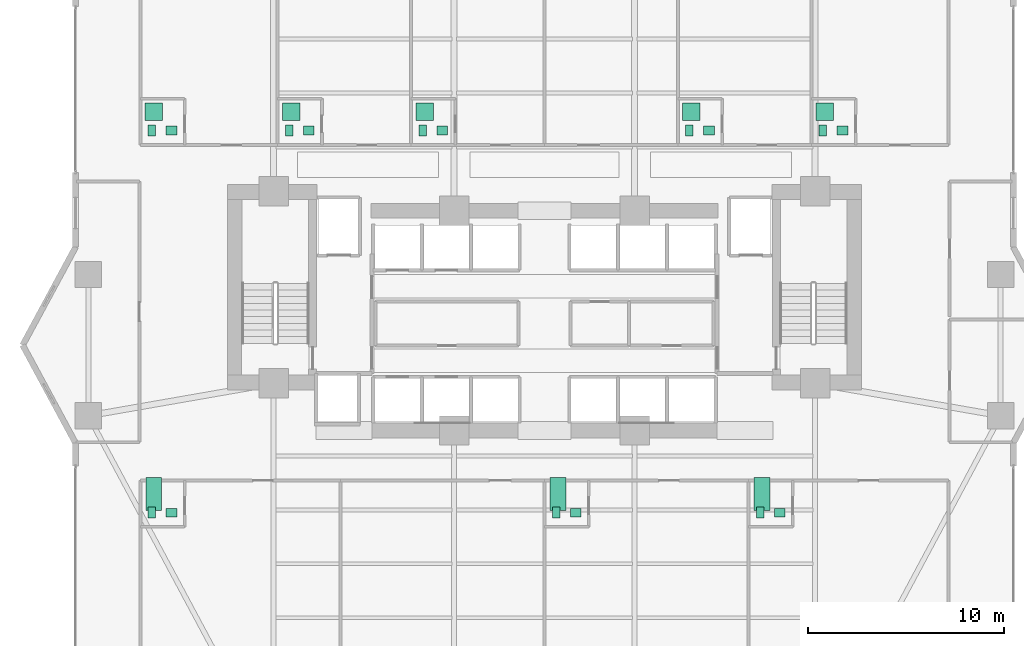
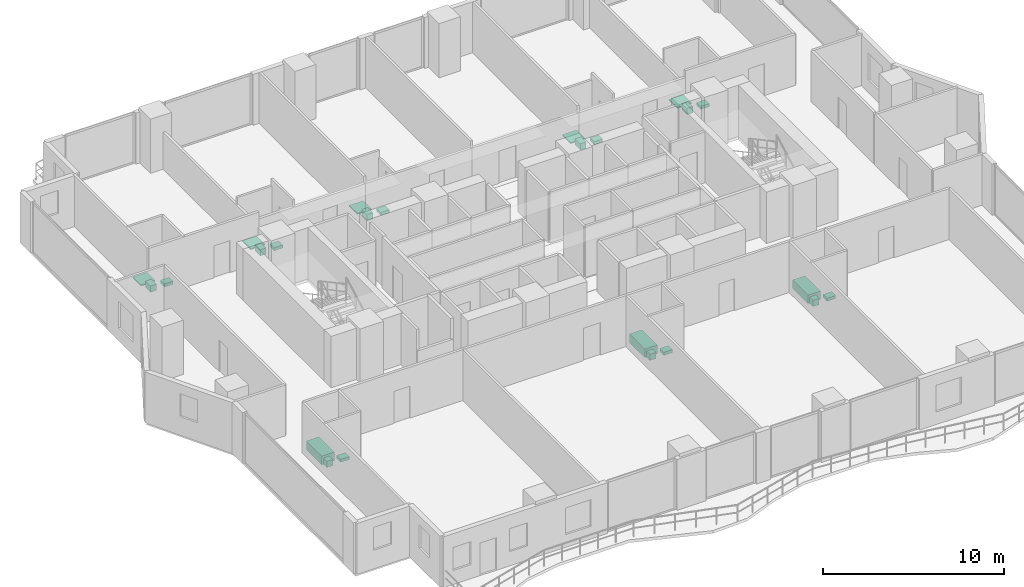
# One storey, part 30 of 30: 24 sanitary terminals.
"""IFC4 building model written with IfcOpenShell, lengths in metres."""

import ifcopenshell
import ifcopenshell.guid

model = None  # the IFC model being written
_history = None  # IfcOwnerHistory: only IFC2X3 demands one
_inside = {}  # id of a spatial element -> (the spatial element, [elements in it])
_under = {}  # id of a project, library or spatial element -> (it, [spatial elements below it])
_declared = {}  # id of a project -> (the project, [libraries it declares])
_typed = {}  # id of a type object -> (the type object, [elements of that type])
_made_of = {}  # id of a material, layer set ... -> (it, [elements and type objects made of it])


def new_model(schema):
    """Start an empty IFC model of exactly this schema.

    Asked for "IFC4X3", IfcOpenShell would pick the latest addendum, in which some entities
    have other attributes; the version numbers below select the first issue.
    IFC2X3 requires an IfcOwnerHistory on every rooted entity: one is made here for all.
    """
    global model, _history
    if schema == "IFC4X3":
        model = ifcopenshell.file(schema_version=(4, 3, 0, 0))
    else:
        model = ifcopenshell.file(schema=schema)
    _inside.clear()
    _under.clear()
    _declared.clear()
    _typed.clear()
    _made_of.clear()
    _history = None
    if model.schema == "IFC2X3":
        org = make("IfcOrganization", Name="unknown")
        user = make(
            "IfcPersonAndOrganization",
            ThePerson=make("IfcPerson", FamilyName="unknown"),
            TheOrganization=org,
        )
        app = make(
            "IfcApplication",
            ApplicationDeveloper=org,
            Version="unknown",
            ApplicationFullName="unknown",
            ApplicationIdentifier="unknown",
        )
        _history = make(
            "IfcOwnerHistory",
            OwningUser=user,
            OwningApplication=app,
            ChangeAction="ADDED",
            CreationDate=0,
        )
    return model


def make(cls, **values):
    """One entity of the class cls with the attributes given. An attribute that is None is left unset."""
    return model.create_entity(
        cls, **{name: value for name, value in values.items() if value is not None}
    )


def rooted(cls, **values):
    """An entity with a GlobalId (a new one), such as an element, a storey or a relation."""
    return make(cls, GlobalId=ifcopenshell.guid.new(), OwnerHistory=_history, **values)


def si_unit(unit_type, name, prefix=None):
    """IfcSIUnit, for example si_unit("LENGTHUNIT", "METRE", prefix="MILLI")."""
    return make("IfcSIUnit", UnitType=unit_type, Prefix=prefix, Name=name)


def assignment(units):
    """IfcUnitAssignment: the units of a project."""
    return None if units is None else make("IfcUnitAssignment", Units=units)


def point(xyz):
    """IfcCartesianPoint."""
    return None if xyz is None else make("IfcCartesianPoint", Coordinates=xyz)


def direction(xyz):
    """IfcDirection."""
    return None if xyz is None else make("IfcDirection", DirectionRatios=xyz)


def frame(location, z_axis=None, x_axis=None):
    """IfcAxis2Placement3D, a coordinate frame: its origin and axes. An axis left out is left unset."""
    return make(
        "IfcAxis2Placement3D",
        Location=point(location),
        Axis=direction(z_axis),
        RefDirection=direction(x_axis),
    )


def frame_2d(location, x_axis=None):
    """IfcAxis2Placement2D, a coordinate frame in the plane: its origin and x axis."""
    return make(
        "IfcAxis2Placement2D", Location=point(location), RefDirection=direction(x_axis)
    )


def origin():
    """The frame at (0, 0, 0) with its axes left unset."""
    return frame((0.0, 0.0, 0.0))


def origin_2d():
    """The frame at (0, 0) in the plane with its x axis left unset."""
    return frame_2d((0.0, 0.0))


def place(relative_to, where):
    """IfcLocalPlacement: puts the frame where relative to a parent placement (None: the world)."""
    return make(
        "IfcLocalPlacement", PlacementRelTo=relative_to, RelativePlacement=where
    )


def context(
    kind, dimensions, precision=None, world=None, true_north=None, identifier=None
):
    """IfcGeometricRepresentationContext, for example the 3D "Model" context."""
    return make(
        "IfcGeometricRepresentationContext",
        ContextIdentifier=identifier,
        ContextType=kind,
        CoordinateSpaceDimension=dimensions,
        Precision=precision,
        WorldCoordinateSystem=world,
        TrueNorth=true_north,
    )


def subcontext(parent, identifier, kind, view, scale=None):
    """IfcGeometricRepresentationSubContext, for example "Body" below "Model"."""
    return make(
        "IfcGeometricRepresentationSubContext",
        ContextIdentifier=identifier,
        ContextType=kind,
        ParentContext=parent,
        TargetScale=scale,
        TargetView=view,
    )


def project(units=None, contexts=None):
    """IfcProject with its units and contexts."""
    return rooted(
        "IfcProject",
        Name="project",
        RepresentationContexts=contexts,
        UnitsInContext=assignment(units),
    )


def spatial(cls, under=None, at=None, **own):
    """A site, building, storey or space (cls), placed at a placement, below another one or the project."""
    s = rooted(cls, ObjectPlacement=at, **own)
    if under is not None:
        _under.setdefault(under.id(), (under, []))[1].append(s)
    return s


def profile(cls, at=None, kind="AREA", **sizes):
    """A parametric profile (cls). Its sizes go by their IFC names, for example OverallWidth=200.0."""
    return make(cls, ProfileType=kind, Position=at, **sizes)


def rectangle(**sizes):
    """IfcRectangleProfileDef."""
    return profile("IfcRectangleProfileDef", **sizes)


def extrude(swept, where, along, depth):
    """IfcExtrudedAreaSolid: the profile swept, set in the frame where, extruded along a direction by depth."""
    return make(
        "IfcExtrudedAreaSolid",
        SweptArea=swept,
        Position=where,
        ExtrudedDirection=direction(along),
        Depth=depth,
    )


def shape(context_of_items, identifier, shape_type, items):
    """IfcShapeRepresentation: the items that make up one representation, for example the "Body"."""
    return make(
        "IfcShapeRepresentation",
        ContextOfItems=context_of_items,
        RepresentationIdentifier=identifier,
        RepresentationType=shape_type,
        Items=items,
    )


def material(Name=None, Category=None):
    """IfcMaterial."""
    return make("IfcMaterial", Name=Name, Category=Category)


def made_of(thing, what):
    """Note that an element or type object is made of a material, layer set ...; save() writes the relation."""
    if what is not None:
        _made_of.setdefault(what.id(), (what, []))[1].append(thing)
    return thing


def type_object(cls, material=None, **own):
    """A type object (cls), such as IfcWallType, which elements share."""
    return made_of(rooted(cls, **own), material)


def element(
    cls,
    number,
    at=None,
    inside=None,
    cuts=None,
    type_object=None,
    material=None,
    context=None,
    identifier="Body",
    shape_type=None,
    held_by="IfcProductDefinitionShape",
    body=None,
    shapes=None,
    **own,
):
    """One element of the class cls, such as IfcWall. Its Tag is "e" and its number.

    at: its placement. inside: the storey or other place that contains it. cuts: it is an
    opening in that element (IfcRelVoidsElement). A single representation is given by context,
    identifier, shape_type and body (its items); several are given by shapes. held_by: the class
    of the entity that holds the representations. save() writes the other relations.
    """
    e = rooted(cls, Tag="e%d" % number, ObjectPlacement=at, **own)
    if body is not None:
        shapes = [shape(context, identifier, shape_type, body)]
    if shapes is not None:
        e.Representation = make(held_by, Representations=shapes)
    if inside is not None:
        _inside.setdefault(inside.id(), (inside, []))[1].append(e)
    if cuts is not None:
        rooted(
            "IfcRelVoidsElement", RelatingBuildingElement=cuts, RelatedOpeningElement=e
        )
    if type_object is not None:
        _typed.setdefault(type_object.id(), (type_object, []))[1].append(e)
    return made_of(e, material)


def aggregate(whole, parts):
    """IfcRelAggregates: a whole, such as a stair, and the parts it consists of."""
    return rooted("IfcRelAggregates", RelatingObject=whole, RelatedObjects=parts)


def save(model, path):
    """Write the relations noted so far, then the file.

    IfcRelAggregates (storeys below a building ...), IfcRelContainedInSpatialStructure (elements
    in a storey), IfcRelDefinesByType, IfcRelAssociatesMaterial and IfcRelDeclares: one each for
    every whole, place, type object, material and project.
    """
    for whole, parts in _under.values():
        aggregate(whole, parts)
    for where, things in _inside.values():
        rooted(
            "IfcRelContainedInSpatialStructure",
            RelatedElements=things,
            RelatingStructure=where,
        )
    for kind, things in _typed.values():
        rooted("IfcRelDefinesByType", RelatedObjects=things, RelatingType=kind)
    for what, things in _made_of.values():
        rooted("IfcRelAssociatesMaterial", RelatedObjects=things, RelatingMaterial=what)
    for by, libraries in _declared.values():
        rooted("IfcRelDeclares", RelatingContext=by, RelatedDefinitions=libraries)
    model.write(path)


model = new_model("IFC4")

# Units and contexts
model_context = context("Model", 3, precision=1e-05, world=origin(), true_north=direction((0.0, 1.0)))
body_context = subcontext(model_context, "Body", "Model", "MODEL_VIEW")
ifc_project = project(units=[si_unit("LENGTHUNIT", "METRE"), si_unit("AREAUNIT", "SQUARE_METRE"), si_unit("VOLUMEUNIT", "CUBIC_METRE"), si_unit("PLANEANGLEUNIT", "RADIAN"), si_unit("MASSUNIT", "GRAM", prefix="KILO")], contexts=[model_context])

# Site, building, storey
site_placement = place(None, origin())
site = spatial("IfcSite", under=ifc_project, at=site_placement, CompositionType="ELEMENT")
building_placement = place(site_placement, origin())
building = spatial("IfcBuilding", under=site, at=building_placement, Name="Zuhayl Quay Hotel", CompositionType="ELEMENT")
storey_placement = place(building_placement, frame((0.0, 0.0, 135.800048828125)))
storey = spatial("IfcBuildingStorey", under=building, at=storey_placement, Name="L34", CompositionType="ELEMENT", Elevation=135.800048828125)

# Sanitary terminals
ifc_material = material(Name="Vitreous Porcelain Sanitaryware")
sanitary_terminal_type_1 = type_object("IfcSanitaryTerminalType", Name="SAN_BASIN", PredefinedType="WASHHANDBASIN", material=ifc_material)
for number, where, z_axis, x_axis, name in (
    (1, (-19.010009765625, 17.43994140625, 0.0), (0.0, 0.0, 1.0), (1.0, 0.0, 0.0), "L34 Sanitary Fixture WASHHANDBASIN"),
    (2, (-12.010009765625, 17.43994140625, 0.0), (0.0, 0.0, 1.0), (1.0, 0.0, 0.0), "L34 Sanitary Fixture WASHHANDBASIN"),
    (3, (-5.2099609375, 17.43994140625, 0.0), (0.0, 0.0, 1.0), (1.0, 0.0, 0.0), "L34 Sanitary Fixture WASHHANDBASIN"),
    (4, (8.389892578125, 17.43994140625, 0.0), (0.0, 0.0, 1.0), (1.0, 0.0, 0.0), "L34 Sanitary Fixture WASHHANDBASIN"),
    (5, (15.18994140625, 17.43994140625, 0.0), (0.0, 0.0, 1.0), (1.0, 0.0, 0.0), "L34 Sanitary Fixture WASHHANDBASIN"),
    (6, (-19.010009765625, -2.0400390625, 0.0), (0.0, 0.0, 1.0), (1.0, 0.0, 0.0), "L34 Sanitary Fixture WASHHANDBASIN"),
    (7, (1.590087890625, -2.0400390625, 0.0), (0.0, 0.0, 1.0), (1.0, 0.0, 0.0), "L34 Sanitary Fixture WASHHANDBASIN"),
    (8, (11.989990234375, -2.0400390625, 0.0), (0.0, 0.0, 1.0), (1.0, 0.0, 0.0), "L34 Sanitary Fixture WASHHANDBASIN"),
):
    element("IfcSanitaryTerminal", number, at=place(storey_placement, frame(where, z_axis=z_axis, x_axis=x_axis)), inside=storey, type_object=sanitary_terminal_type_1, Name=name, PredefinedType="WASHHANDBASIN", context=body_context, shape_type="SweptSolid", body=[
        extrude(rectangle(XDim=0.550048828125, YDim=0.449951171875, at=origin_2d()), origin(), (0.0, 0.0, 1.0), 0.199951171875),
    ])
sanitary_terminal_type_2 = type_object("IfcSanitaryTerminalType", Name="SAN_BATH", PredefinedType="BATH", material=ifc_material)
for number, where, z_axis, x_axis, name in (
    (9, (-19.909912109375, -1.090087890625, 0.0), (0.0, 0.0, 1.0), (1.0, 0.0, 0.0), "L34 Sanitary Fixture BATH"),
    (10, (0.68994140625, -1.090087890625, 0.0), (0.0, 0.0, 1.0), (1.0, 0.0, 0.0), "L34 Sanitary Fixture BATH"),
    (11, (11.090087890625, -1.090087890625, 0.0), (0.0, 0.0, 1.0), (1.0, 0.0, 0.0), "L34 Sanitary Fixture BATH"),
):
    element("IfcSanitaryTerminal", number, at=place(storey_placement, frame(where, z_axis=z_axis, x_axis=x_axis)), inside=storey, type_object=sanitary_terminal_type_2, Name=name, PredefinedType="BATH", context=body_context, shape_type="SweptSolid", body=[
        extrude(rectangle(XDim=0.800048828125, YDim=1.699951171875, at=origin_2d()), origin(), (0.0, 0.0, 1.0), 0.580078125),
    ])
sanitary_terminal_type_3 = type_object("IfcSanitaryTerminalType", Name="SAN_SHOWER", PredefinedType="SHOWER", material=ifc_material)
for number, where, z_axis, x_axis, name in (
    (12, (-19.909912109375, 18.389892578125, 0.0), (0.0, 0.0, 1.0), (1.0, 0.0, 0.0), "L34 Sanitary Fixture SHOWER"),
    (13, (-12.909912109375, 18.389892578125, 0.0), (0.0, 0.0, 1.0), (1.0, 0.0, 0.0), "L34 Sanitary Fixture SHOWER"),
    (14, (-6.110107421875, 18.389892578125, 0.0), (0.0, 0.0, 1.0), (1.0, 0.0, 0.0), "L34 Sanitary Fixture SHOWER"),
    (15, (7.489990234375, 18.389892578125, 0.0), (0.0, 0.0, 1.0), (1.0, 0.0, 0.0), "L34 Sanitary Fixture SHOWER"),
    (16, (14.2900390625, 18.389892578125, 0.0), (0.0, 0.0, 1.0), (1.0, 0.0, 0.0), "L34 Sanitary Fixture SHOWER"),
):
    element("IfcSanitaryTerminal", number, at=place(storey_placement, frame(where, z_axis=z_axis, x_axis=x_axis)), inside=storey, type_object=sanitary_terminal_type_3, Name=name, PredefinedType="SHOWER", context=body_context, shape_type="SweptSolid", body=[
        extrude(rectangle(XDim=0.89990234375, YDim=0.89990234375, at=origin_2d()), origin(), (0.0, 0.0, 1.0), 0.080078125),
    ])
sanitary_terminal_type_4 = type_object("IfcSanitaryTerminalType", Name="SAN_WC", PredefinedType="TOILETPAN", material=ifc_material)
for number, where, z_axis, x_axis, name in (
    (17, (-20.010009765625, 17.43994140625, 0.0), (0.0, 0.0, 1.0), (1.0, 0.0, 0.0), "L34 Sanitary Fixture TOILETPAN"),
    (18, (-13.010009765625, 17.43994140625, 0.0), (0.0, 0.0, 1.0), (1.0, 0.0, 0.0), "L34 Sanitary Fixture TOILETPAN"),
    (19, (-6.2099609375, 17.43994140625, 0.0), (0.0, 0.0, 1.0), (1.0, 0.0, 0.0), "L34 Sanitary Fixture TOILETPAN"),
    (20, (7.389892578125, 17.43994140625, 0.0), (0.0, 0.0, 1.0), (1.0, 0.0, 0.0), "L34 Sanitary Fixture TOILETPAN"),
    (21, (14.18994140625, 17.43994140625, 0.0), (0.0, 0.0, 1.0), (1.0, 0.0, 0.0), "L34 Sanitary Fixture TOILETPAN"),
    (22, (-20.010009765625, -2.0400390625, 0.0), (0.0, 0.0, 1.0), (1.0, 0.0, 0.0), "L34 Sanitary Fixture TOILETPAN"),
    (23, (0.590087890625, -2.0400390625, 0.0), (0.0, 0.0, 1.0), (1.0, 0.0, 0.0), "L34 Sanitary Fixture TOILETPAN"),
    (24, (10.989990234375, -2.0400390625, 0.0), (0.0, 0.0, 1.0), (1.0, 0.0, 0.0), "L34 Sanitary Fixture TOILETPAN"),
):
    element("IfcSanitaryTerminal", number, at=place(storey_placement, frame(where, z_axis=z_axis, x_axis=x_axis)), inside=storey, type_object=sanitary_terminal_type_4, Name=name, PredefinedType="TOILETPAN", context=body_context, shape_type="SweptSolid", body=[
        extrude(rectangle(XDim=0.3798828125, YDim=0.56005859375, at=origin_2d()), origin(), (0.0, 0.0, 1.0), 0.419921875),
    ])

save(model, "model.ifc")
